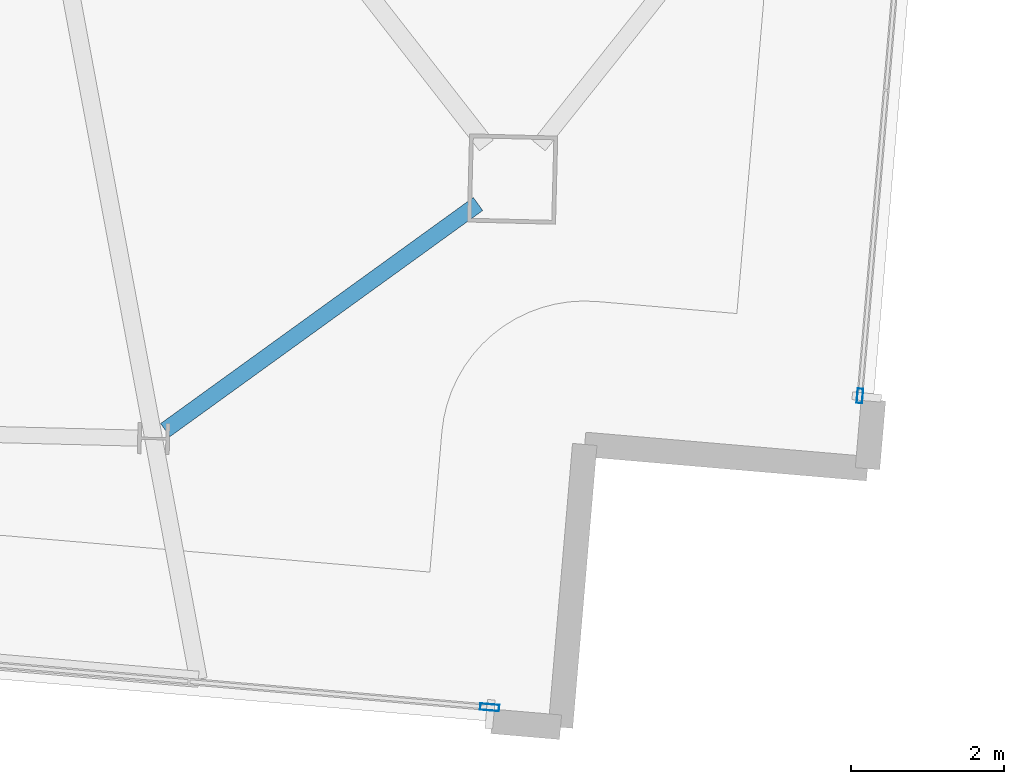
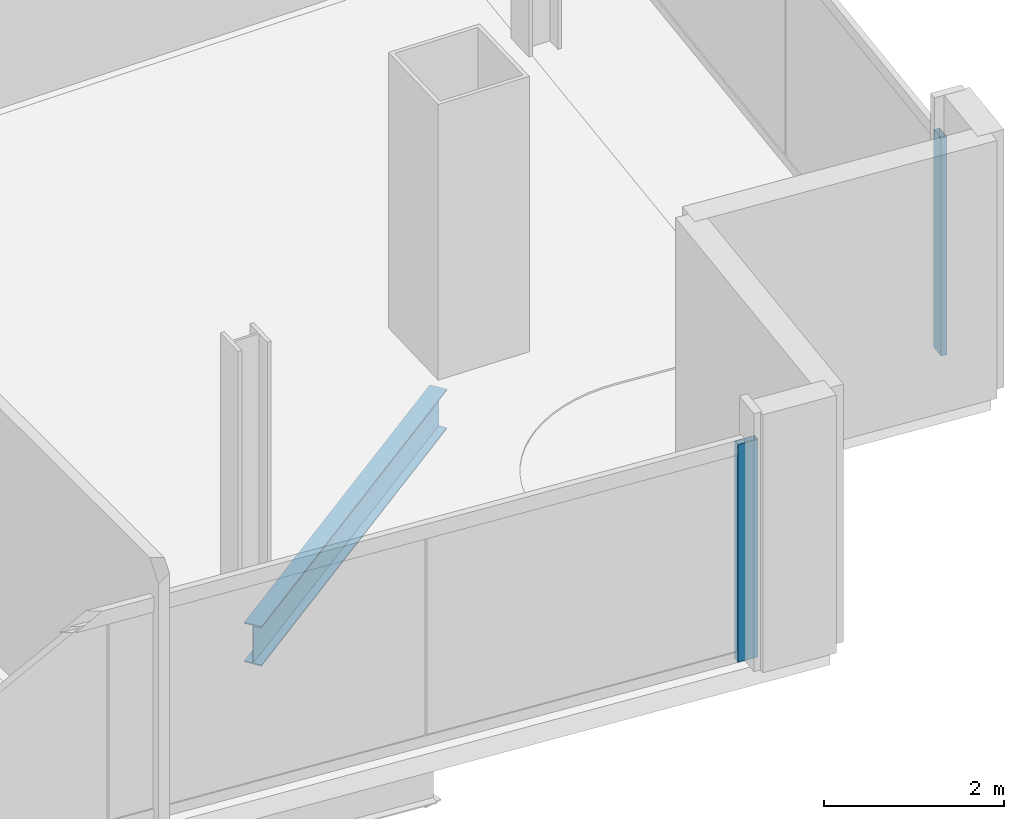
# One storey, part 9 of 24: 2 members, 1 beam, 2 elements without a shape of their own.
"""IFC4 building model written with IfcOpenShell, lengths in metres."""

from ifc_helpers import new_model, si_unit, direction, frame, origin, origin_2d, place, context, subcontext, project, spatial, hollow_rectangle, i_section, extrude, material, material_profile, profile_set, type_object, element, aggregate, save


model = new_model("IFC4")

# Units and contexts
model_context = context("Model", 3, precision=1e-05, world=origin(), true_north=direction((0.0, 1.0)))
body_context = subcontext(model_context, "Body", "Model", "MODEL_VIEW")
ifc_project = project(units=[si_unit("LENGTHUNIT", "METRE"), si_unit("AREAUNIT", "SQUARE_METRE"), si_unit("VOLUMEUNIT", "CUBIC_METRE"), si_unit("PLANEANGLEUNIT", "RADIAN"), si_unit("MASSUNIT", "GRAM", prefix="KILO")], contexts=[model_context])

# Site, building, storey
site_placement = place(None, origin())
site = spatial("IfcSite", under=ifc_project, at=site_placement, CompositionType="ELEMENT")
building_placement = place(site_placement, origin())
building = spatial("IfcBuilding", under=site, at=building_placement, Name="Haldenkirk Collegiate Tower", CompositionType="ELEMENT")
storey_placement = place(building_placement, frame((0.0, 0.0, 313.949951171875)))
storey = spatial("IfcBuildingStorey", under=building, at=storey_placement, Name="L79", CompositionType="ELEMENT", Elevation=313.949951171875)

# Beam
ifc_material_1 = material(Name="Steel ASTM A992 Grade 50", Category="steel")
ifc_material_profile_1 = material_profile(ifc_material_1, i_section(OverallWidth=0.2099609375, OverallDepth=0.537109375, WebThickness=0.010986328125, FlangeThickness=0.017333984375, at=origin_2d()), Name="W21X68")
ifc_profile_set_1 = profile_set([ifc_material_profile_1], Name="Steel ASTM A992 Grade 50")
beam_type = type_object("IfcBeamType", Name="BM-SPANDREL-W21X68", PredefinedType="SPANDREL", material=ifc_profile_set_1)
beam_placement = place(storey_placement, frame((47.44921875, 5.767578125, -0.528564453125), z_axis=(0.810388642646, 0.585892693136, 0.0), x_axis=(-0.585892693136, 0.810388642646, 0.0)))
element("IfcBeam", 1, at=beam_placement, inside=storey, type_object=beam_type, Name="L79 perimeter spandrel beam 16", PredefinedType="SPANDREL", context=body_context, shape_type="SweptSolid", body=[
    extrude(i_section(OverallWidth=0.2099609375, OverallDepth=0.537109375, WebThickness=0.010986328125, FlangeThickness=0.017333984375, at=origin_2d()), origin(), (0.0, 0.0, 1.0), 5.03076171875),
])

# Curtain wall, member
ifc_material_2 = material(Name="Anodised architectural bronze aluminium", Category="aluminium")
curtain_wall_type_1 = type_object("IfcCurtainWallType", Name="CW-SYS2-CONCAVE", PredefinedType="USERDEFINED", material=ifc_material_2)
curtain_wall_1_placement = place(storey_placement, origin())
curtain_wall_1 = element("IfcCurtainWall", 2, at=curtain_wall_1_placement, inside=storey, type_object=curtain_wall_type_1, Name="L79 South concave recessed bronze-anodised curtain wall", ObjectType="UNITISED CURTAIN WALL", PredefinedType="USERDEFINED")
ifc_material_profile_2 = material_profile(ifc_material_2, hollow_rectangle(XDim=0.074951171875, YDim=0.18994140625, WallThickness=0.0048828125, at=origin_2d()), Name="CW-MUL-02")
ifc_profile_set_2 = profile_set([ifc_material_profile_2], Name="Anodised architectural bronze aluminium")
member_type_1 = type_object("IfcMemberType", Name="CW-MUL-02", PredefinedType="MULLION", material=ifc_profile_set_2)
member_1_placement = place(storey_placement, frame((56.5048828125, 6.2138671875, 0.0), z_axis=(0.0, 0.0, 1.0), x_axis=(0.996345311804, -0.085416741017, 0.0)))
member_1 = element("IfcMember", 3, at=member_1_placement, type_object=member_type_1, Name="CW-02 mullion 4", PredefinedType="MULLION", context=body_context, shape_type="SweptSolid", body=[
    extrude(hollow_rectangle(XDim=0.074951171875, YDim=0.18994140625, WallThickness=0.0048828125, at=origin_2d()), origin(), (0.0, 0.0, 1.0), 2.947998046875),
])
aggregate(curtain_wall_1, [member_1])

curtain_wall_type_2 = type_object("IfcCurtainWallType", Name="CW-SYS1B-CONVEX-HI", PredefinedType="USERDEFINED", material=ifc_material_2)
curtain_wall_2_placement = place(storey_placement, origin())
curtain_wall_2 = element("IfcCurtainWall", 4, at=curtain_wall_2_placement, inside=storey, type_object=curtain_wall_type_2, Name="L79 Upper tower high-wind convex bronze unitised curtain wall", ObjectType="UNITISED CURTAIN WALL", PredefinedType="USERDEFINED")
ifc_material_profile_3 = material_profile(ifc_material_2, hollow_rectangle(XDim=0.0849609375, YDim=0.25, WallThickness=0.0048828125, at=origin_2d()), Name="CW-MUL-1B")
ifc_profile_set_3 = profile_set([ifc_material_profile_3], Name="Anodised architectural bronze aluminium")
member_type_2 = type_object("IfcMemberType", Name="CW-MUL-1B", PredefinedType="MULLION", material=ifc_profile_set_3)
member_2_placement = place(storey_placement, frame((51.677978515625, 2.153564453125, 0.0), z_axis=(0.0, 0.0, 1.0), x_axis=(-0.085418127117, -0.996345192973, 0.0)))
member_2 = element("IfcMember", 5, at=member_2_placement, type_object=member_type_2, Name="CW-1B mullion 1", PredefinedType="MULLION", context=body_context, shape_type="SweptSolid", body=[
    extrude(hollow_rectangle(XDim=0.0849609375, YDim=0.25, WallThickness=0.0048828125, at=origin_2d()), origin(), (0.0, 0.0, 1.0), 2.947998046875),
])
aggregate(curtain_wall_2, [member_2])

save(model, "model.ifc")
